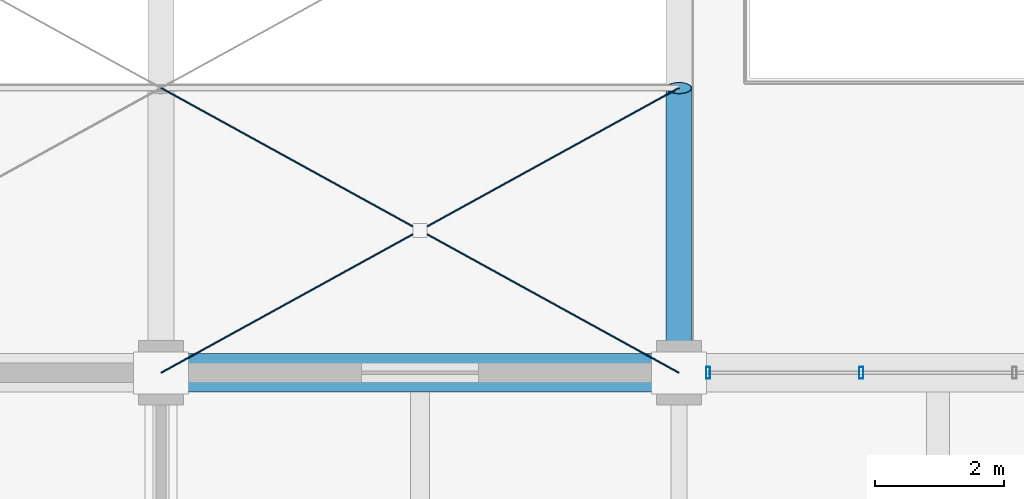
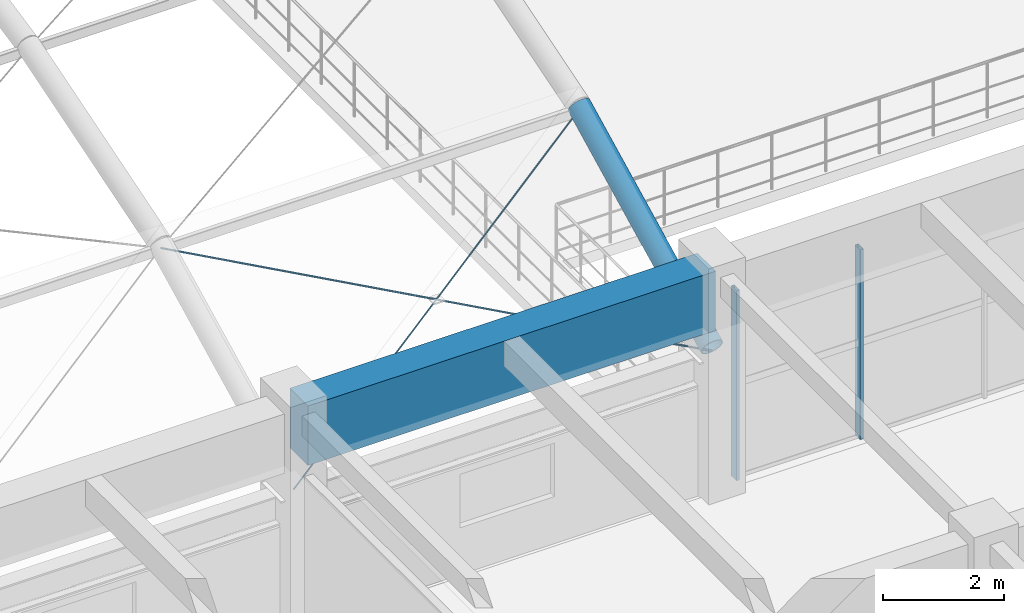
# One storey, part 11 of 144: 5 members, 2 beams, 1 element without a shape of its own.
"""IFC4 building model written with IfcOpenShell, lengths in metres."""

from ifc_helpers import new_model, si_unit, direction, frame, origin, origin_2d, place, context, subcontext, project, spatial, rectangle, hollow_rectangle, circle, hollow_circle, extrude, material, material_profile, profile_set, type_object, element, aggregate, save


model = new_model("IFC4")

# Units and contexts
model_context = context("Model", 3, precision=1e-05, world=origin(), true_north=direction((0.0, 1.0)))
body_context = subcontext(model_context, "Body", "Model", "MODEL_VIEW")
ifc_project = project(units=[si_unit("LENGTHUNIT", "METRE"), si_unit("AREAUNIT", "SQUARE_METRE"), si_unit("VOLUMEUNIT", "CUBIC_METRE"), si_unit("PLANEANGLEUNIT", "RADIAN"), si_unit("MASSUNIT", "GRAM", prefix="KILO")], contexts=[model_context])

# Site, building, storey
site_placement = place(None, origin())
site = spatial("IfcSite", under=ifc_project, at=site_placement, CompositionType="ELEMENT")
building_placement = place(site_placement, origin())
building = spatial("IfcBuilding", under=site, at=building_placement, Name="Varnabhumi Central Station", CompositionType="ELEMENT")
storey_placement = place(building_placement, frame((0.0, 0.0, 4.800048828125)))
storey = spatial("IfcBuildingStorey", under=building, at=storey_placement, Name="L01", CompositionType="ELEMENT", Elevation=4.800048828125)

# Beams
ifc_material_1 = material(Name="Structural steel E350", Category="steel")
ifc_material_profile_1 = material_profile(ifc_material_1, hollow_circle(Radius=0.203125, WallThickness=0.01611328125, at=origin_2d()), Name="Structural steel E350", Category="steel")
ifc_profile_set_1 = profile_set([ifc_material_profile_1], Name="Structural steel E350")
beam_type_1 = type_object("IfcBeamType", Name="BM-ARCH-CHS406", PredefinedType="BEAM", material=ifc_profile_set_1)
beam_1_placement = place(storey_placement, frame((24.0, 36.0, 2.800048828125), z_axis=(0.0, 0.893294210393, 0.449472417037), x_axis=(-1.0, 0.0, 0.0)))
element("IfcBeam", 1, at=beam_1_placement, inside=storey, type_object=beam_type_1, Name="Forecourt Arrival Canopy Vault Arch Rib 4 Seg 1", PredefinedType="BEAM", context=body_context, shape_type="SweptSolid", body=[
    extrude(hollow_circle(Radius=0.203125, WallThickness=0.01611328125, at=origin_2d()), origin(), (0.0, 0.0, 1.0), 4.925537109375),
])
ifc_material_2 = material(Name="Concrete M50", Category="concrete")
ifc_material_profile_2 = material_profile(ifc_material_2, rectangle(XDim=0.60009765625, YDim=1.199951171875, at=origin_2d()), Name="Concrete M50", Category="concrete")
ifc_profile_set_2 = profile_set([ifc_material_profile_2], Name="Concrete M50")
beam_type_2 = type_object("IfcBeamType", Name="BM-RC-1200x600", PredefinedType="BEAM", material=ifc_profile_set_2)
beam_2_placement = place(storey_placement, frame((16.10009765625, 36.0, 3.949951171875), z_axis=(1.0, 0.0, 0.0), x_axis=(0.0, 1.0, 0.0)))
element("IfcBeam", 2, at=beam_2_placement, inside=storey, type_object=beam_type_2, Name="Beam L01-E:3-4", PredefinedType="BEAM", context=body_context, shape_type="SweptSolid", body=[
    extrude(rectangle(XDim=0.60009765625, YDim=1.199951171875, at=origin_2d()), origin(), (0.0, 0.0, 1.0), 7.7998046875),
])

# Curtain wall, members
ifc_material_3 = material(Name="Anodised aluminium 6063-T6", Category="aluminium")
curtain_wall_type = type_object("IfcCurtainWallType", Name="CW-SPINE-SCREEN-L0", PredefinedType="NOTDEFINED", material=ifc_material_3)
curtain_wall_placement = place(storey_placement, origin())
curtain_wall = element("IfcCurtainWall", 3, at=curtain_wall_placement, inside=storey, type_object=curtain_wall_type, Name="Curtain Wall CW-SS103", PredefinedType="NOTDEFINED")
ifc_material_profile_3 = material_profile(ifc_material_3, hollow_rectangle(XDim=0.06494140625, YDim=0.179931640625, WallThickness=0.00390625, InnerFilletRadius=0.001953125, OuterFilletRadius=0.006103515625, at=origin_2d()), Name="Anodised aluminium 6063-T6", Category="aluminium")
ifc_profile_set_3 = profile_set([ifc_material_profile_3], Name="Anodised aluminium 6063-T6")
member_type_1 = type_object("IfcMemberType", Name="CW-MUL-180", PredefinedType="MULLION", material=ifc_profile_set_3)
member_1_placement = place(storey_placement, frame((24.449951171875, 36.0, 0.0), z_axis=(0.0, 0.0, 1.0), x_axis=(1.0, 0.0, 0.0)))
member_1 = element("IfcMember", 4, at=member_1_placement, type_object=member_type_1, Name="Curtain Wall Mullion CW-SS103-M1", PredefinedType="MULLION", context=body_context, shape_type="SweptSolid", body=[
    extrude(hollow_rectangle(XDim=0.06494140625, YDim=0.179931640625, WallThickness=0.00390625, InnerFilletRadius=0.001953125, OuterFilletRadius=0.006103515625, at=origin_2d()), origin(), (0.0, 0.0, 1.0), 3.83984375),
])
member_2_placement = place(storey_placement, frame((26.816650390625, 36.0, 0.0), z_axis=(0.0, 0.0, 1.0), x_axis=(1.0, 0.0, 0.0)))
member_2 = element("IfcMember", 5, at=member_2_placement, type_object=member_type_1, Name="Curtain Wall Mullion CW-SS103-M2", PredefinedType="MULLION", context=body_context, shape_type="SweptSolid", body=[
    extrude(hollow_rectangle(XDim=0.06494140625, YDim=0.179931640625, WallThickness=0.00390625, InnerFilletRadius=0.001953125, OuterFilletRadius=0.006103515625, at=origin_2d()), origin(), (0.0, 0.0, 1.0), 3.83984375),
])
aggregate(curtain_wall, [member_1, member_2])

# Members
ifc_material_4 = material(Name="Spiral-strand steel S1570", Category="steel")
ifc_material_profile_4 = material_profile(ifc_material_4, circle(Radius=0.013916015625, at=origin_2d()), Name="Spiral-strand steel S1570", Category="steel")
ifc_profile_set_4 = profile_set([ifc_material_profile_4], Name="Spiral-strand steel S1570")
member_type_2 = type_object("IfcMemberType", Name="MBR-CABLE-D28", PredefinedType="USERDEFINED", material=ifc_profile_set_4)
member_3_placement = place(storey_placement, frame((16.0, 36.0, 2.719970703125), z_axis=(0.851544146337, 0.468338885659, 0.235650705535), x_axis=(-0.481910537812, 0.876220425204, 0.0)))
element("IfcMember", 6, at=member_3_placement, inside=storey, type_object=member_type_2, Name="Forecourt Arrival Canopy Vault Cable-Net Tie B3-P1A", ObjectType="TENSION CABLE", PredefinedType="USERDEFINED", context=body_context, shape_type="SweptSolid", body=[
    extrude(circle(Radius=0.013916015625, at=origin_2d()), origin(), (0.0, 0.0, 1.0), 9.394775390625),
])
for number, where, z_axis, x_axis, name in (
    (7, (16.0, 40.39990234375, 4.933837890625), (0.851544146337, -0.468338885659, -0.235650705535), (0.481910537812, 0.876220425204, 0.0), "Forecourt Arrival Canopy Vault Cable-Net Split Tie B3-P1B1"),
    (8, (20.0, 38.199951171875, 3.826904296875), (0.851544146337, -0.468338885659, -0.235650705535), (0.481910537812, 0.876220425204, 0.0), "Forecourt Arrival Canopy Vault Cable-Net Split Tie B3-P1B2"),
):
    element("IfcMember", number, at=place(storey_placement, frame(where, z_axis=z_axis, x_axis=x_axis)), inside=storey, type_object=member_type_2, Name=name, ObjectType="TENSION CABLE", PredefinedType="USERDEFINED", context=body_context, shape_type="SweptSolid", body=[
        extrude(circle(Radius=0.013916015625, at=origin_2d()), origin(), (0.0, 0.0, 1.0), 4.697265625),
    ])

save(model, "model.ifc")
